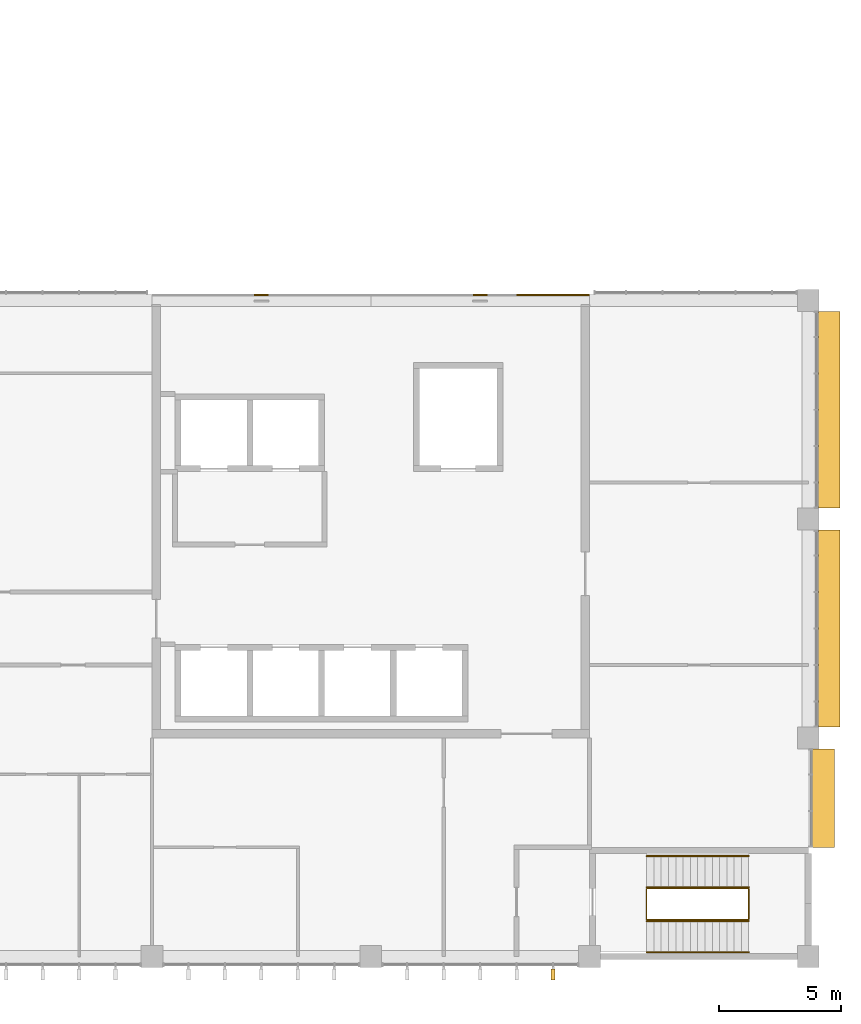
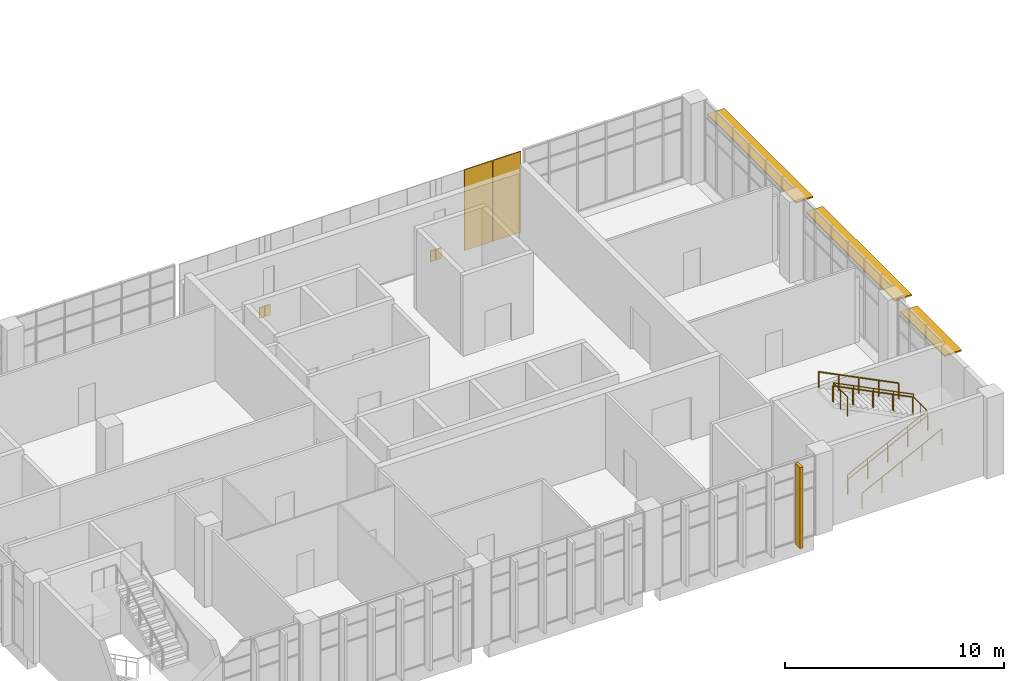
# One storey, part 78 of 79: 6 coverings, 5 railings, 4 shading devices.
"""IFC4 building model written with IfcOpenShell, lengths in metres."""

from ifc_helpers import new_model, si_unit, direction, frame, origin, origin_2d, place, context, subcontext, project, spatial, rectangle, circle, extrude, material, layer, layer_set, type_object, element, save


model = new_model("IFC4")

# Units and contexts
model_context = context("Model", 3, precision=1e-05, world=origin(), true_north=direction((0.0, 1.0)))
body_context = subcontext(model_context, "Body", "Model", "MODEL_VIEW")
ifc_project = project(units=[si_unit("LENGTHUNIT", "METRE"), si_unit("AREAUNIT", "SQUARE_METRE"), si_unit("VOLUMEUNIT", "CUBIC_METRE"), si_unit("PLANEANGLEUNIT", "RADIAN"), si_unit("MASSUNIT", "GRAM", prefix="KILO")], contexts=[model_context])

# Site, building, storey
site_placement = place(None, origin())
site = spatial("IfcSite", under=ifc_project, at=site_placement, CompositionType="ELEMENT")
building_placement = place(site_placement, origin())
building = spatial("IfcBuilding", under=site, at=building_placement, Name="Guidao Yard Department Store", CompositionType="ELEMENT")
storey_placement = place(building_placement, frame((0.0, 0.0, 15.0)))
storey = spatial("IfcBuildingStorey", under=building, at=storey_placement, Name="L03", CompositionType="ELEMENT", Elevation=15.0)

# Coverings
ifc_material_1 = material(Name="Anodised aluminium 6063-T5 cladding", Category="aluminium")
ifc_layer_1 = layer(ifc_material_1, 0.050048828125)
ifc_layer_set_1 = layer_set([ifc_layer_1], Name="Facade cladding CP1 anodised aluminium panel 6063")
covering_type = type_object("IfcCoveringType", Name="Facade cladding CP1 anodised aluminium panel 6063", PredefinedType="CLADDING", material=ifc_layer_set_1)
for number, where, z_axis, x_axis, name in (
    (1, (148.35009765625, 27.22509765625, 0.0), (0.0, 0.0, 1.0), (1.0, 0.0, 0.0), "Core face cladding"),
    (2, (148.64990234375, 27.22509765625, 0.0), (0.0, 0.0, 1.0), (1.0, 0.0, 0.0), "Core face cladding"),
    (3, (157.35009765625, 27.22509765625, 0.0), (0.0, 0.0, 1.0), (1.0, 0.0, 0.0), "Core face cladding"),
    (4, (157.64990234375, 27.22509765625, 0.0), (0.0, 0.0, 1.0), (1.0, 0.0, 0.0), "Core face cladding"),
):
    element("IfcCovering", number, at=place(storey_placement, frame(where, z_axis=z_axis, x_axis=x_axis)), inside=storey, type_object=covering_type, Name=name, PredefinedType="CLADDING", context=body_context, shape_type="SweptSolid", body=[
        extrude(rectangle(XDim=0.280029296875, YDim=0.050048828125, at=origin_2d()), origin(), (0.0, 0.0, 1.0), 0.60009765625),
    ])
for number, where, z_axis, x_axis, name in (
    (5, (159.75, 27.22509765625, 0.0), (0.0, 0.0, 1.0), (1.0, 0.0, 0.0), "Core face cladding"),
    (6, (161.25, 27.22509765625, 0.0), (0.0, 0.0, 1.0), (1.0, 0.0, 0.0), "Core face cladding"),
):
    element("IfcCovering", number, at=place(storey_placement, frame(where, z_axis=z_axis, x_axis=x_axis)), inside=storey, type_object=covering_type, Name=name, PredefinedType="CLADDING", context=body_context, shape_type="SweptSolid", body=[
        extrude(rectangle(XDim=1.47998046875, YDim=0.050048828125, at=origin_2d()), origin(), (0.0, 0.0, 1.0), 4.5),
    ])

# Railings
ifc_material_2 = material(Name="Steel Q235", Category="steel")
railing_type_1 = type_object("IfcRailingType", Name="Guard steel balustrade 1100", PredefinedType="GUARDRAIL", material=ifc_material_2)
railing_placement = place(storey_placement, frame((164.35009765625, 1.52490234375, 0.14990234375)))
element("IfcRailing", 7, at=railing_placement, inside=storey, type_object=railing_type_1, Name="Stair O2 guard L03 14", PredefinedType="GUARDRAIL", context=body_context, shape_type="SweptSolid", body=[
    extrude(circle(Radius=0.02392578125, at=origin_2d()), frame((0.0, 0.0, 1.076171875), z_axis=(0.894416792377, 0.0, 0.447234392142), x_axis=(0.0, 1.0, 0.0)), (0.0, 0.0, 1.0), 4.69580078125),
    extrude(circle(Radius=0.02392578125, at=origin_2d()), frame((4.199951171875, 0.0, 3.17626953125), z_axis=(0.0, 1.0, 0.0), x_axis=(-1.0, 0.0, 0.0)), (0.0, 0.0, 1.0), 1.275146484375),
    extrude(circle(Radius=0.02392578125, at=origin_2d()), frame((4.199951171875, 1.275146484375, 3.17626953125), z_axis=(0.0, 0.0, 1.0), x_axis=(1.0, 0.0, 0.0)), (0.0, 0.0, 1.0), 0.14990234375),
    extrude(circle(Radius=0.02392578125, at=origin_2d()), frame((4.199951171875, 1.275146484375, 3.326171875), z_axis=(-0.894416792377, 0.0, 0.447234392142), x_axis=(0.0, -1.0, 0.0)), (0.0, 0.0, 1.0), 4.69580078125),
    extrude(circle(Radius=0.02392578125, at=origin_2d()), frame((0.0, 1.275146484375, 5.42626953125), z_axis=(0.0, -1.0, 0.0), x_axis=(1.0, 0.0, 0.0)), (0.0, 0.0, 1.0), 1.275146484375),
    extrude(circle(Radius=0.02099609375, at=origin_2d()), origin(), (0.0, 0.0, 1.0), 1.052001953125),
    extrude(circle(Radius=0.02099609375, at=origin_2d()), frame((1.050048828125, 0.0, 0.52490234375)), (0.0, 0.0, 1.0), 1.052001953125),
    extrude(circle(Radius=0.02099609375, at=origin_2d()), frame((2.10009765625, 0.0, 1.050048828125)), (0.0, 0.0, 1.0), 1.052001953125),
    extrude(circle(Radius=0.02099609375, at=origin_2d()), frame((3.14990234375, 0.0, 1.5751953125)), (0.0, 0.0, 1.0), 1.052001953125),
    extrude(circle(Radius=0.02099609375, at=origin_2d()), frame((4.199951171875, 0.0, 2.10009765625)), (0.0, 0.0, 1.0), 1.052001953125),
    extrude(circle(Radius=0.02099609375, at=origin_2d()), frame((4.199951171875, 0.6376953125, 2.10009765625)), (0.0, 0.0, 1.0), 1.052001953125),
    extrude(circle(Radius=0.02099609375, at=origin_2d()), frame((4.199951171875, 1.275146484375, 2.10009765625)), (0.0, 0.0, 1.0), 1.052001953125),
    extrude(circle(Radius=0.02099609375, at=origin_2d()), frame((4.199951171875, 1.275146484375, 2.25)), (0.0, 0.0, 1.0), 1.052001953125),
    extrude(circle(Radius=0.02099609375, at=origin_2d()), frame((3.14990234375, 1.275146484375, 2.77490234375)), (0.0, 0.0, 1.0), 1.052001953125),
    extrude(circle(Radius=0.02099609375, at=origin_2d()), frame((2.10009765625, 1.275146484375, 3.300048828125)), (0.0, 0.0, 1.0), 1.052001953125),
    extrude(circle(Radius=0.02099609375, at=origin_2d()), frame((1.050048828125, 1.275146484375, 3.8251953125)), (0.0, 0.0, 1.0), 1.052001953125),
    extrude(circle(Radius=0.02099609375, at=origin_2d()), frame((0.0, 1.275146484375, 4.35009765625)), (0.0, 0.0, 1.0), 1.052001953125),
    extrude(circle(Radius=0.02099609375, at=origin_2d()), frame((0.0, 0.6376953125, 4.35009765625)), (0.0, 0.0, 1.0), 1.052001953125),
    extrude(circle(Radius=0.02099609375, at=origin_2d()), frame((0.0, 0.0, 4.35009765625)), (0.0, 0.0, 1.0), 1.052001953125),
])
ifc_material_3 = material(Name="Steel Q235", Category="steel")
railing_type_2 = type_object("IfcRailingType", Name="Handrail steel tube 48", PredefinedType="HANDRAIL", material=ifc_material_3)
for number, where, name in (
    (8, (164.35009765625, 0.18505859375, 0.14990234375), "Stair O2 hand rail L03 37"),
    (9, (164.35009765625, 1.465087890625, 0.14990234375), "Stair O2 hand rail L03 38"),
):
    element("IfcRailing", number, at=place(storey_placement, frame(where)), inside=storey, type_object=railing_type_2, Name=name, PredefinedType="HANDRAIL", context=body_context, shape_type="SweptSolid", body=[
        extrude(circle(Radius=0.02392578125, at=origin_2d()), frame((0.0, 0.0, 0.8759765625), z_axis=(0.894416792377, 0.0, 0.447234392142), x_axis=(0.0, 1.0, 0.0)), (0.0, 0.0, 1.0), 4.69580078125),
        extrude(circle(Radius=0.02099609375, at=origin_2d()), origin(), (0.0, 0.0, 1.0), 0.851806640625),
        extrude(circle(Radius=0.02099609375, at=origin_2d()), frame((1.050048828125, 0.0, 0.52490234375)), (0.0, 0.0, 1.0), 0.851806640625),
        extrude(circle(Radius=0.02099609375, at=origin_2d()), frame((2.10009765625, 0.0, 1.050048828125)), (0.0, 0.0, 1.0), 0.851806640625),
        extrude(circle(Radius=0.02099609375, at=origin_2d()), frame((3.14990234375, 0.0, 1.5751953125)), (0.0, 0.0, 1.0), 0.851806640625),
        extrude(circle(Radius=0.02099609375, at=origin_2d()), frame((4.199951171875, 0.0, 2.10009765625)), (0.0, 0.0, 1.0), 0.851806640625),
    ])
for number, where, name in (
    (10, (168.550048828125, 2.860107421875, 2.39990234375), "Stair O2 hand rail L03 39"),
    (11, (168.550048828125, 4.139892578125, 2.39990234375), "Stair O2 hand rail L03 40"),
):
    element("IfcRailing", number, at=place(storey_placement, frame(where)), inside=storey, type_object=railing_type_2, Name=name, PredefinedType="HANDRAIL", context=body_context, shape_type="SweptSolid", body=[
        extrude(circle(Radius=0.02392578125, at=origin_2d()), frame((0.0, 0.0, 0.8759765625), z_axis=(-0.894416792377, 0.0, 0.447234392142), x_axis=(0.0, -1.0, 0.0)), (0.0, 0.0, 1.0), 4.69580078125),
        extrude(circle(Radius=0.02099609375, at=origin_2d()), origin(), (0.0, 0.0, 1.0), 0.851806640625),
        extrude(circle(Radius=0.02099609375, at=origin_2d()), frame((-1.050048828125, 0.0, 0.52490234375)), (0.0, 0.0, 1.0), 0.851806640625),
        extrude(circle(Radius=0.02099609375, at=origin_2d()), frame((-2.10009765625, 0.0, 1.050048828125)), (0.0, 0.0, 1.0), 0.851806640625),
        extrude(circle(Radius=0.02099609375, at=origin_2d()), frame((-3.14990234375, 0.0, 1.5751953125)), (0.0, 0.0, 1.0), 0.851806640625),
        extrude(circle(Radius=0.02099609375, at=origin_2d()), frame((-4.199951171875, 0.0, 2.10009765625)), (0.0, 0.0, 1.0), 0.851806640625),
    ])

# Shading devices
ifc_material_4 = material(Name="Aluminium 6063-T5", Category="aluminium")
ifc_layer_2 = layer(ifc_material_4, 0.080078125)
ifc_layer_set_2 = layer_set([ifc_layer_2], Name="Sunshade blade SB1 aluminium")
shading_device_type_1 = type_object("IfcShadingDeviceType", Name="Sunshade blade SB1 aluminium", PredefinedType="SHUTTER", material=ifc_layer_set_2)
shading_device_1_placement = place(storey_placement, frame((171.6298828125, 6.52490234375, 3.599853515625), z_axis=(0.0, 0.0, 1.0), x_axis=(0.0, -1.0, 0.0)))
element("IfcShadingDevice", 12, at=shading_device_1_placement, inside=storey, type_object=shading_device_type_1, Name="Sunshade blade", PredefinedType="SHUTTER", context=body_context, shape_type="SweptSolid", body=[
    extrude(rectangle(XDim=4.050048828125, YDim=0.89990234375, at=origin_2d()), origin(), (0.0, 0.0, 1.0), 0.080078125),
])
for number, where, z_axis, x_axis, name in (
    (13, (171.860107421875, 13.5, 3.599853515625), (0.0, 0.0, 1.0), (0.0, -1.0, 0.0), "Sunshade blade"),
    (14, (171.860107421875, 22.5, 3.599853515625), (0.0, 0.0, 1.0), (0.0, -1.0, 0.0), "Sunshade blade"),
):
    element("IfcShadingDevice", number, at=place(storey_placement, frame(where, z_axis=z_axis, x_axis=x_axis)), inside=storey, type_object=shading_device_type_1, Name=name, PredefinedType="SHUTTER", context=body_context, shape_type="SweptSolid", body=[
        extrude(rectangle(XDim=8.10009765625, YDim=0.89990234375, at=origin_2d()), origin(), (0.0, 0.0, 1.0), 0.080078125),
    ])
ifc_material_5 = material(Name="Aluminium 6063-T5", Category="aluminium")
shading_device_type_2 = type_object("IfcShadingDeviceType", Name="Vertical fin FN2 aluminium 150 x 450", PredefinedType="SHUTTER", material=ifc_material_5)
shading_device_2_placement = place(storey_placement, frame((160.5, -0.735107421875, 0.0), z_axis=(0.0, 0.0, 1.0), x_axis=(-1.0, 0.0, 0.0)))
element("IfcShadingDevice", 15, at=shading_device_2_placement, inside=storey, type_object=shading_device_type_2, Name="Vertical fin", PredefinedType="SHUTTER", context=body_context, shape_type="SweptSolid", body=[
    extrude(rectangle(XDim=0.14990234375, YDim=0.449951171875, at=origin_2d()), origin(), (0.0, 0.0, 1.0), 4.5),
])

save(model, "model.ifc")
